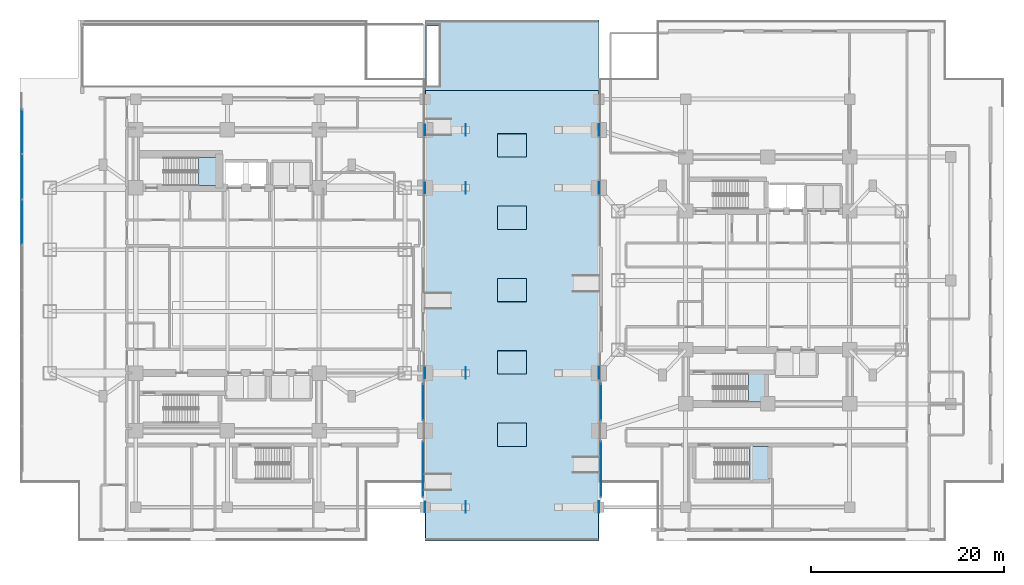
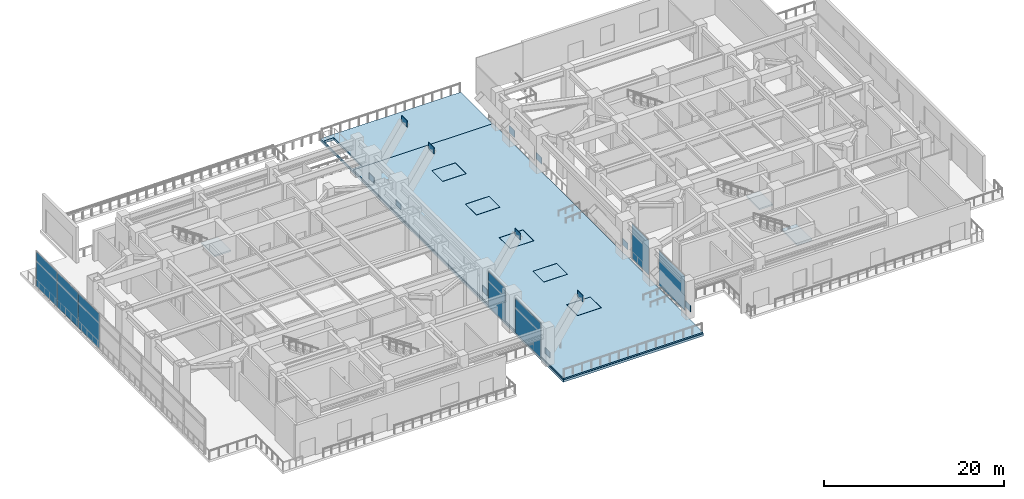
# One storey, part 8 of 27: 19 plates, 10 slabs, 8 elements without a shape of their own.
"""IFC4 building model written with IfcOpenShell, lengths in metres."""

from ifc_helpers import new_model, si_unit, direction, frame, origin, origin_2d, place, context, subcontext, project, spatial, polyline, rectangle, outline, extrude, material, layer, layer_set, type_object, element, aggregate, save


model = new_model("IFC4")

# Units and contexts
model_context = context("Model", 3, precision=1e-05, world=origin(), true_north=direction((0.0, 1.0)))
body_context = subcontext(model_context, "Body", "Model", "MODEL_VIEW")
ifc_project = project(units=[si_unit("LENGTHUNIT", "METRE"), si_unit("AREAUNIT", "SQUARE_METRE"), si_unit("VOLUMEUNIT", "CUBIC_METRE"), si_unit("PLANEANGLEUNIT", "RADIAN"), si_unit("MASSUNIT", "GRAM", prefix="KILO")], contexts=[model_context])

# Site, building, storey
site_placement = place(None, origin())
site = spatial("IfcSite", under=ifc_project, at=site_placement, CompositionType="ELEMENT")
building_placement = place(site_placement, origin())
building = spatial("IfcBuilding", under=site, at=building_placement, Name="Mirazonda Arch Towers", CompositionType="ELEMENT")
storey_placement = place(building_placement, origin())
storey = spatial("IfcBuildingStorey", under=building, at=storey_placement, Name="L00", CompositionType="ELEMENT", Elevation=0.0)

# Curtain wall, plate
ifc_material_1 = material(Name="Anodised Aluminium and Low-E Glass", Category="aluminium")
curtain_wall_type_1 = type_object("IfcCurtainWallType", Name="CW-ARCH-GLAZE", PredefinedType="NOTDEFINED", material=ifc_material_1)
curtain_wall_1_placement = place(storey_placement, origin())
curtain_wall_1 = element("IfcCurtainWall", 1, at=curtain_wall_1_placement, inside=storey, type_object=curtain_wall_type_1, Name="L00 Arch West Concourse Glazing CW-L00-ARCH-WS-S1", PredefinedType="NOTDEFINED")
ifc_material_2 = material(Name="Insulated Low-E Solar Glass", Category="glass")
ifc_layer_1 = layer(ifc_material_2, 0.031982421875, Name="PAN-CW-ARCH-GLAZE")
ifc_layer_set_1 = layer_set([ifc_layer_1], Name="Insulated Low-E Solar Glass")
plate_type_1 = type_object("IfcPlateType", Name="PAN-CW-ARCH-GLAZE", PredefinedType="CURTAIN_PANEL", material=ifc_layer_set_1)
plate_1_placement = place(storey_placement, frame((40.780029296875, 15.39990234375, 0.08984375), z_axis=(0.0, 0.0, 1.0), x_axis=(0.0, -1.0, 0.0)))
plate_1 = element("IfcPlate", 2, at=plate_1_placement, type_object=plate_type_1, Name="CW-106 panel 1.1", PredefinedType="CURTAIN_PANEL", context=body_context, shape_type="SweptSolid", body=[
    extrude(rectangle(XDim=3.739990234375, YDim=0.031982421875, at=origin_2d()), origin(), (0.0, 0.0, 1.0), 4.679931640625),
])
aggregate(curtain_wall_1, [plate_1])

curtain_wall_2_placement = place(storey_placement, origin())
curtain_wall_2 = element("IfcCurtainWall", 3, at=curtain_wall_2_placement, inside=storey, type_object=curtain_wall_type_1, Name="L00 Arch West Concourse Glazing CW-L00-ARCH-WS-S2", PredefinedType="NOTDEFINED")
plate_2_placement = place(storey_placement, frame((40.780029296875, 8.429931640625, 0.08984375), z_axis=(0.0, 0.0, 1.0), x_axis=(0.0, -1.0, 0.0)))
plate_2 = element("IfcPlate", 4, at=plate_2_placement, type_object=plate_type_1, Name="CW-106 panel 1.1", PredefinedType="CURTAIN_PANEL", context=body_context, shape_type="SweptSolid", body=[
    extrude(rectangle(XDim=5.679931640625, YDim=0.031982421875, at=origin_2d()), origin(), (0.0, 0.0, 1.0), 4.679931640625),
])
aggregate(curtain_wall_2, [plate_2])

curtain_wall_3_placement = place(storey_placement, origin())
curtain_wall_3 = element("IfcCurtainWall", 5, at=curtain_wall_3_placement, inside=storey, type_object=curtain_wall_type_1, Name="L00 Arch East Concourse Glazing CW-L00-ARCH-ES-S1", PredefinedType="NOTDEFINED")
plate_3_placement = place(storey_placement, frame((59.219970703125, 8.429931640625, 0.08984375), z_axis=(0.0, 0.0, 1.0), x_axis=(0.0, 1.0, 0.0)))
plate_3 = element("IfcPlate", 6, at=plate_3_placement, type_object=plate_type_1, Name="CW-106 panel 1.1", PredefinedType="CURTAIN_PANEL", context=body_context, shape_type="SweptSolid", body=[
    extrude(rectangle(XDim=5.679931640625, YDim=0.031982421875, at=origin_2d()), origin(), (0.0, 0.0, 1.0), 4.679931640625),
])
aggregate(curtain_wall_3, [plate_3])

curtain_wall_4_placement = place(storey_placement, origin())
curtain_wall_4 = element("IfcCurtainWall", 7, at=curtain_wall_4_placement, inside=storey, type_object=curtain_wall_type_1, Name="L00 Arch East Concourse Glazing CW-L00-ARCH-ES-S2", PredefinedType="NOTDEFINED")
plate_4_placement = place(storey_placement, frame((59.219970703125, 15.39990234375, 0.08984375), z_axis=(0.0, 0.0, 1.0), x_axis=(0.0, 1.0, 0.0)))
plate_4 = element("IfcPlate", 8, at=plate_4_placement, type_object=plate_type_1, Name="CW-106 panel 1.1", PredefinedType="CURTAIN_PANEL", context=body_context, shape_type="SweptSolid", body=[
    extrude(rectangle(XDim=3.739990234375, YDim=0.031982421875, at=origin_2d()), origin(), (0.0, 0.0, 1.0), 4.679931640625),
])
aggregate(curtain_wall_4, [plate_4])

# Curtain wall, plates
curtain_wall_type_2 = type_object("IfcCurtainWallType", Name="CW-POD-STORE", PredefinedType="NOTDEFINED", material=ifc_material_1)
curtain_wall_5_placement = place(storey_placement, origin())
curtain_wall_5 = element("IfcCurtainWall", 9, at=curtain_wall_5_placement, inside=storey, type_object=curtain_wall_type_2, Name="L00 West Storefront CW-L00-WW1", PredefinedType="NOTDEFINED")
ifc_layer_2 = layer(ifc_material_2, 0.028076171875, Name="PAN-CW-POD-STORE")
ifc_layer_set_2 = layer_set([ifc_layer_2], Name="Insulated Low-E Solar Glass")
plate_type_2 = type_object("IfcPlateType", Name="PAN-CW-POD-STORE", PredefinedType="CURTAIN_PANEL", material=ifc_layer_set_2)
plate_5_placement = place(storey_placement, frame((-0.780029296875, 34.050048828125, 0.080078125), z_axis=(0.0, 0.0, 1.0), x_axis=(0.0, 1.0, 0.0)))
plate_5 = element("IfcPlate", 10, at=plate_5_placement, type_object=plate_type_2, Name="CW-102 panel 6.1", PredefinedType="CURTAIN_PANEL", context=body_context, shape_type="SweptSolid", body=[
    extrude(rectangle(XDim=4.6201171875, YDim=0.028076171875, at=origin_2d()), origin(), (0.0, 0.0, 1.0), 4.699951171875),
])
plate_6_placement = place(storey_placement, frame((-0.780029296875, 38.75, 0.080078125), z_axis=(0.0, 0.0, 1.0), x_axis=(0.0, 1.0, 0.0)))
plate_6 = element("IfcPlate", 11, at=plate_6_placement, type_object=plate_type_2, Name="CW-102 panel 7.1", PredefinedType="CURTAIN_PANEL", context=body_context, shape_type="SweptSolid", body=[
    extrude(rectangle(XDim=4.6201171875, YDim=0.028076171875, at=origin_2d()), origin(), (0.0, 0.0, 1.0), 4.699951171875),
])
plate_7_placement = place(storey_placement, frame((-0.780029296875, 43.429931640625, 0.080078125), z_axis=(0.0, 0.0, 1.0), x_axis=(0.0, 1.0, 0.0)))
plate_7 = element("IfcPlate", 12, at=plate_7_placement, type_object=plate_type_2, Name="CW-102 panel 8.1", PredefinedType="CURTAIN_PANEL", context=body_context, shape_type="SweptSolid", body=[
    extrude(rectangle(XDim=4.580078125, YDim=0.028076171875, at=origin_2d()), origin(), (0.0, 0.0, 1.0), 4.699951171875),
])
aggregate(curtain_wall_5, [plate_5, plate_6, plate_7])

# Plates
ifc_material_3 = material(Name="Steel ASTM A572 Grade 50", Category="steel")
ifc_layer_3 = layer(ifc_material_3, 0.0400390625, Name="PLATE-CAP-1100x800x40")
ifc_layer_set_3 = layer_set([ifc_layer_3], Name="Steel ASTM A572 Grade 50")
plate_type_3 = type_object("IfcPlateType", Name="PLATE-CAP-1100x800x40", PredefinedType="USERDEFINED", material=ifc_layer_set_3)
for number, where, z_axis, x_axis, name in (
    (13, (40.99560546875, 4.5, 0.9931640625), (0.0, 0.0, 1.0), (-1.0, 0.0, 0.0), "Steel end closure plate NP-ARCH-R1-A0"),
    (14, (40.99560546875, 18.39990234375, 0.9931640625), (0.0, 0.0, 1.0), (-1.0, 0.0, 0.0), "Steel end closure plate NP-ARCH-R2-A0"),
    (15, (40.99560546875, 37.60009765625, 0.9931640625), (0.0, 0.0, 1.0), (-1.0, 0.0, 0.0), "Steel end closure plate NP-ARCH-R3-A0"),
    (16, (40.99560546875, 43.60009765625, 0.9931640625), (0.0, 0.0, 1.0), (-1.0, 0.0, 0.0), "Steel end closure plate NP-ARCH-R4-A0"),
):
    element("IfcPlate", number, at=place(storey_placement, frame(where, z_axis=z_axis, x_axis=x_axis)), inside=storey, type_object=plate_type_3, Name=name, ObjectType="CAP PLATE", PredefinedType="USERDEFINED", context=body_context, shape_type="SweptSolid", body=[
        extrude(rectangle(XDim=0.0400390625, YDim=1.10009765625, at=origin_2d()), origin(), (0.0, 0.0, 1.0), 0.800048828125),
    ])
ifc_layer_4 = layer(ifc_material_3, 0.0400390625, Name="PLATE-GUSSET-1200x900x40")
ifc_layer_set_4 = layer_set([ifc_layer_4], Name="Steel ASTM A572 Grade 50")
plate_type_4 = type_object("IfcPlateType", Name="PLATE-GUSSET-1200x900x40", PredefinedType="USERDEFINED", material=ifc_layer_set_4)
for number, where, z_axis, x_axis, name in (
    (17, (45.20458984375, 4.5, 7.15673828125), (0.0, 0.0, 1.0), (1.0, 0.0, 0.0), "Steel end closure plate NP-ARCH-R1-K1"),
    (18, (59.00439453125, 4.5, 0.943359375), (0.0, 0.0, 1.0), (1.0, 0.0, 0.0), "Steel end closure plate NP-ARCH-R1-K5"),
    (19, (45.20458984375, 18.39990234375, 7.15673828125), (0.0, 0.0, 1.0), (1.0, 0.0, 0.0), "Steel end closure plate NP-ARCH-R2-K1"),
    (20, (59.00439453125, 18.39990234375, 0.943359375), (0.0, 0.0, 1.0), (1.0, 0.0, 0.0), "Steel end closure plate NP-ARCH-R2-K5"),
    (21, (45.20458984375, 37.60009765625, 7.15673828125), (0.0, 0.0, 1.0), (1.0, 0.0, 0.0), "Steel end closure plate NP-ARCH-R3-K1"),
    (22, (59.00439453125, 37.60009765625, 0.943359375), (0.0, 0.0, 1.0), (1.0, 0.0, 0.0), "Steel end closure plate NP-ARCH-R3-K5"),
    (23, (45.20458984375, 43.60009765625, 7.15673828125), (0.0, 0.0, 1.0), (1.0, 0.0, 0.0), "Steel end closure plate NP-ARCH-R4-K1"),
    (24, (59.00439453125, 43.60009765625, 0.943359375), (0.0, 0.0, 1.0), (1.0, 0.0, 0.0), "Steel end closure plate NP-ARCH-R4-K5"),
):
    element("IfcPlate", number, at=place(storey_placement, frame(where, z_axis=z_axis, x_axis=x_axis)), inside=storey, type_object=plate_type_4, Name=name, ObjectType="GUSSET_PLATE", PredefinedType="USERDEFINED", context=body_context, shape_type="SweptSolid", body=[
        extrude(rectangle(XDim=0.0400390625, YDim=1.199951171875, at=origin_2d()), origin(), (0.0, 0.0, 1.0), 0.89990234375),
    ])

# Stair, slab
ifc_material_4 = material(Name="Concrete C40/50", Category="concrete")
stair_type_1 = type_object("IfcStairType", Name="STAIR-CORE-1400", PredefinedType="HALF_TURN_STAIR", material=ifc_material_4)
stair_1_placement = place(storey_placement, origin())
stair_1 = element("IfcStair", 25, at=stair_1_placement, inside=storey, type_object=stair_type_1, Name="L00 Protected Exit Stair ST-T1N", PredefinedType="HALF_TURN_STAIR")
ifc_layer_5 = layer(ifc_material_4, 0.18994140625, Name="SLAB-LANDING-190")
ifc_layer_set_5 = layer_set([ifc_layer_5], Name="Concrete C40/50")
slab_type_1 = type_object("IfcSlabType", Name="SLAB-LANDING-190", PredefinedType="LANDING", material=ifc_layer_set_5)
slab_1_placement = place(storey_placement, frame((0.0, 0.0, 2.39990234375)))
slab_1 = element("IfcSlab", 26, at=slab_1_placement, type_object=slab_type_1, Name="ST-T1N landing 1", PredefinedType="LANDING", context=body_context, shape_type="SweptSolid", body=[
    extrude(outline(polyline([(17.489990234375, 37.820068359375), (19.60009765625, 37.820068359375), (19.60009765625, 40.760009765625), (17.489990234375, 40.760009765625), (17.489990234375, 37.820068359375)])), origin(), (0.0, 0.0, 1.0), 0.2001953125),
])
aggregate(stair_1, [slab_1])

stair_2_placement = place(storey_placement, origin())
stair_2 = element("IfcStair", 27, at=stair_2_placement, inside=storey, type_object=stair_type_1, Name="L00 Protected Exit Stair ST-T2S", PredefinedType="HALF_TURN_STAIR")
slab_2_placement = place(storey_placement, frame((0.0, 0.0, 2.39990234375)))
slab_2 = element("IfcSlab", 28, at=slab_2_placement, type_object=slab_type_1, Name="ST-T2S landing 1", PredefinedType="LANDING", context=body_context, shape_type="SweptSolid", body=[
    extrude(outline(polyline([(74.489990234375, 15.419921875), (76.22998046875, 15.419921875), (76.22998046875, 18.360107421875), (74.489990234375, 18.360107421875), (74.489990234375, 15.419921875)])), origin(), (0.0, 0.0, 1.0), 0.2001953125),
])
aggregate(stair_2, [slab_2])

stair_type_2 = type_object("IfcStairType", Name="STAIR-POD-1600", PredefinedType="HALF_TURN_STAIR", material=ifc_material_4)
stair_3_placement = place(storey_placement, origin())
stair_3 = element("IfcStair", 29, at=stair_3_placement, inside=storey, type_object=stair_type_2, Name="L00 Protected Exit Stair ST-POD2", PredefinedType="HALF_TURN_STAIR")
slab_3_placement = place(storey_placement, frame((0.0, 0.0, 2.39990234375)))
slab_3 = element("IfcSlab", 30, at=slab_3_placement, type_object=slab_type_1, Name="ST-POD2 landing 1", PredefinedType="LANDING", context=body_context, shape_type="SweptSolid", body=[
    extrude(outline(polyline([(74.639892578125, 7.35009765625), (76.60009765625, 7.35009765625), (76.60009765625, 10.800048828125), (74.639892578125, 10.800048828125), (74.639892578125, 7.35009765625)])), origin(), (0.0, 0.0, 1.0), 0.2001953125),
])
aggregate(stair_3, [slab_3])

# Slabs
ifc_material_5 = material(Name="Architectural Granite Paving on Concrete C40/50", Category="masonry")
ifc_layer_6 = layer(ifc_material_5, 0.179931640625, Name="SLAB-PLAZA-PAVE-180")
ifc_layer_set_6 = layer_set([ifc_layer_6], Name="Architectural Granite Paving on Concrete C40/50")
slab_type_2 = type_object("IfcSlabType", Name="SLAB-PLAZA-PAVE-180", PredefinedType="USERDEFINED", material=ifc_layer_set_6)
slab_4_placement = place(storey_placement, frame((0.0, 0.0, -0.179931640625)))
element("IfcSlab", 31, at=slab_4_placement, inside=storey, type_object=slab_type_2, Name="L00 Street Arch Concourse Granite Paving", ObjectType="PAVING", PredefinedType="USERDEFINED", context=body_context, shape_type="SweptSolid", body=[
    extrude(outline(polyline([(41.0400390625, 1.02001953125), (58.9599609375, 1.02001953125), (58.9599609375, 47.699951171875), (41.0400390625, 47.699951171875), (41.0400390625, 1.02001953125)]), holes=[polyline([(48.47998046875, 35.719970703125), (51.52001953125, 35.719970703125), (51.52001953125, 33.280029296875), (48.47998046875, 33.280029296875), (48.47998046875, 35.719970703125)]), polyline([(48.47998046875, 43.219970703125), (51.52001953125, 43.219970703125), (51.52001953125, 40.780029296875), (48.47998046875, 40.780029296875), (48.47998046875, 43.219970703125)]), polyline([(48.47998046875, 10.780029296875), (48.47998046875, 13.219970703125), (51.52001953125, 13.219970703125), (51.52001953125, 10.780029296875), (48.47998046875, 10.780029296875)]), polyline([(48.47998046875, 18.280029296875), (48.47998046875, 20.719970703125), (51.52001953125, 20.719970703125), (51.52001953125, 18.280029296875), (48.47998046875, 18.280029296875)]), polyline([(48.47998046875, 25.780029296875), (48.47998046875, 28.219970703125), (51.52001953125, 28.219970703125), (51.52001953125, 25.780029296875), (48.47998046875, 25.780029296875)])]), origin(), (0.0, 0.0, 1.0), 0.179931640625),
])
slab_5_placement = place(storey_placement, frame((0.0, 0.0, -0.179931640625)))
element("IfcSlab", 32, at=slab_5_placement, inside=storey, type_object=slab_type_2, Name="L00 Arch Concourse Medallion Paver 1", ObjectType="PAVING", PredefinedType="USERDEFINED", context=body_context, shape_type="SweptSolid", body=[
    extrude(outline(polyline([(51.5, 10.800048828125), (51.5, 13.199951171875), (48.5, 13.199951171875), (48.5, 10.800048828125), (51.5, 10.800048828125)])), origin(), (0.0, 0.0, 1.0), 0.179931640625),
])
slab_6_placement = place(storey_placement, frame((0.0, 0.0, -0.179931640625)))
element("IfcSlab", 33, at=slab_6_placement, inside=storey, type_object=slab_type_2, Name="L00 Arch Concourse Medallion Paver 2", ObjectType="PAVING", PredefinedType="USERDEFINED", context=body_context, shape_type="SweptSolid", body=[
    extrude(outline(polyline([(51.5, 18.300048828125), (51.5, 20.699951171875), (48.5, 20.699951171875), (48.5, 18.300048828125), (51.5, 18.300048828125)])), origin(), (0.0, 0.0, 1.0), 0.179931640625),
])
slab_7_placement = place(storey_placement, frame((0.0, 0.0, -0.179931640625)))
element("IfcSlab", 34, at=slab_7_placement, inside=storey, type_object=slab_type_2, Name="L00 Arch Concourse Medallion Paver 3", ObjectType="PAVING", PredefinedType="USERDEFINED", context=body_context, shape_type="SweptSolid", body=[
    extrude(outline(polyline([(51.5, 25.800048828125), (51.5, 28.199951171875), (48.5, 28.199951171875), (48.5, 25.800048828125), (51.5, 25.800048828125)])), origin(), (0.0, 0.0, 1.0), 0.179931640625),
])
slab_8_placement = place(storey_placement, frame((0.0, 0.0, -0.179931640625)))
element("IfcSlab", 35, at=slab_8_placement, inside=storey, type_object=slab_type_2, Name="L00 Arch Concourse Medallion Paver 4", ObjectType="PAVING", PredefinedType="USERDEFINED", context=body_context, shape_type="SweptSolid", body=[
    extrude(outline(polyline([(51.5, 33.300048828125), (51.5, 35.699951171875), (48.5, 35.699951171875), (48.5, 33.300048828125), (51.5, 33.300048828125)])), origin(), (0.0, 0.0, 1.0), 0.179931640625),
])
slab_9_placement = place(storey_placement, frame((0.0, 0.0, -0.179931640625)))
element("IfcSlab", 36, at=slab_9_placement, inside=storey, type_object=slab_type_2, Name="L00 Arch Concourse Medallion Paver 5", ObjectType="PAVING", PredefinedType="USERDEFINED", context=body_context, shape_type="SweptSolid", body=[
    extrude(outline(polyline([(51.5, 40.800048828125), (51.5, 43.199951171875), (48.5, 43.199951171875), (48.5, 40.800048828125), (51.5, 40.800048828125)])), origin(), (0.0, 0.0, 1.0), 0.179931640625),
])
ifc_layer_7 = layer(ifc_material_4, 0.320068359375, Name="SLAB-POD-320")
ifc_layer_set_7 = layer_set([ifc_layer_7], Name="Concrete C40/50")
slab_type_3 = type_object("IfcSlabType", Name="SLAB-POD-320", PredefinedType="FLOOR", material=ifc_layer_set_7)
slab_10_placement = place(storey_placement, frame((0.0, 0.0, -0.5)))
element("IfcSlab", 37, at=slab_10_placement, inside=storey, type_object=slab_type_3, Name="L00 Street Arch Substructure Deck", PredefinedType="FLOOR", context=body_context, shape_type="SweptSolid", body=[
    extrude(outline(polyline([(41.0, 1.0), (59.0, 1.0), (59.0, 55.0), (41.0, 55.0), (41.0, 1.0)]), holes=[polyline([(42.39990234375, 54.39990234375), (42.39990234375, 48.199951171875), (41.14990234375, 48.199951171875), (41.14990234375, 54.39990234375), (42.39990234375, 54.39990234375)])]), origin(), (0.0, 0.0, 1.0), 0.320068359375),
])

save(model, "model.ifc")
